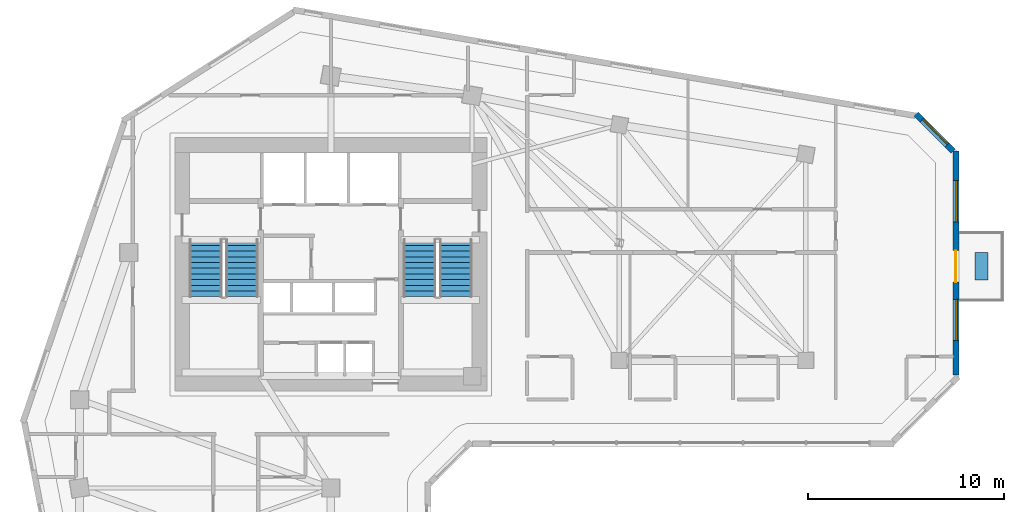
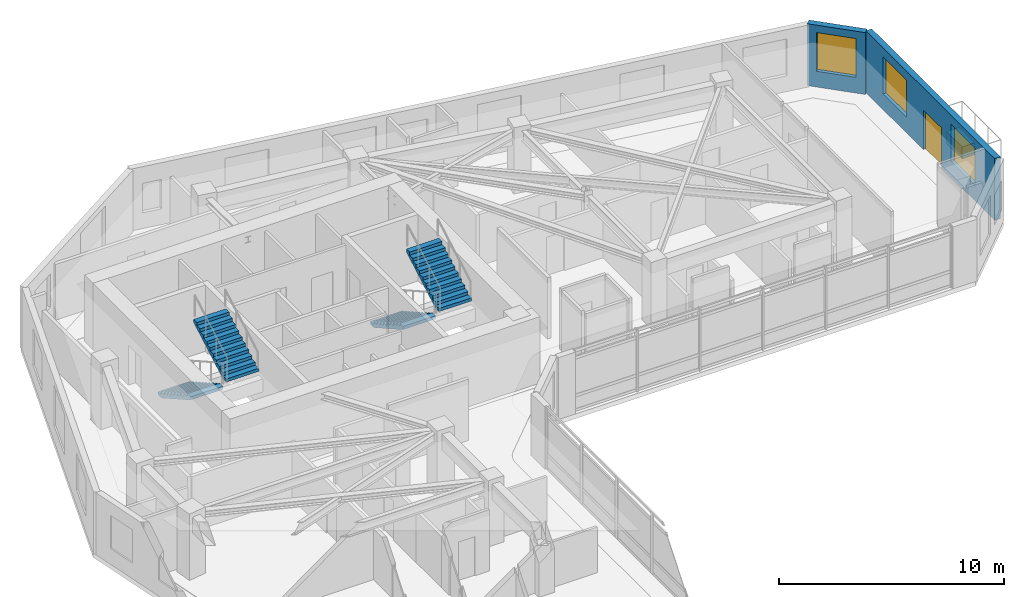
# One storey, part 9 of 14: 4 stair flights, 3 windows, 2 walls, 1 discrete accessory, 1 door, 4 openings, 2 elements without a shape of their own.
"""IFC4 building model written with IfcOpenShell, lengths in metres."""

from ifc_helpers import new_model, si_unit, direction, frame, frame_2d, origin, origin_2d, place, context, subcontext, project, spatial, polyline, rectangle, outline, extrude, source, transform, mapped, material, layer, layer_set, type_object, element, fill, aggregate, save


model = new_model("IFC4")

# Units and contexts
model_context = context("Model", 3, precision=1e-05, world=origin(), true_north=direction((0.0, 1.0)))
body_context = subcontext(model_context, "Body", "Model", "MODEL_VIEW")
ifc_project = project(units=[si_unit("LENGTHUNIT", "METRE"), si_unit("AREAUNIT", "SQUARE_METRE"), si_unit("VOLUMEUNIT", "CUBIC_METRE"), si_unit("PLANEANGLEUNIT", "RADIAN"), si_unit("MASSUNIT", "GRAM", prefix="KILO")], contexts=[model_context])

# Site, building, storey
site_placement = place(None, origin())
site = spatial("IfcSite", under=ifc_project, at=site_placement, CompositionType="ELEMENT")
building_placement = place(site_placement, origin())
building = spatial("IfcBuilding", under=site, at=building_placement, Name="Calvemar Wedge Station Tower", CompositionType="ELEMENT")
storey_placement = place(building_placement, frame((0.0, 0.0, 128.60009765625)))
storey = spatial("IfcBuildingStorey", under=building, at=storey_placement, Name="L31", CompositionType="ELEMENT", Elevation=128.60009765625)

# Wall, openings, windows, door
ifc_material_1 = material(Name="Precast concrete C45", Category="concrete")
ifc_layer = layer(ifc_material_1, 0.300048828125)
ifc_layer_set = layer_set([ifc_layer], Name="Precast concrete C45")
wall_type = type_object("IfcWallType", Name="W-EXT-GFRC-300", PredefinedType="SOLIDWALL", material=ifc_layer_set)
wall_1_placement = place(storey_placement, frame((55.64990234375, 34.249267578125, 0.0), z_axis=(0.0, 0.0, 1.0), x_axis=(0.0, 1.0, 0.0)))
wall_1 = element("IfcWall", 1, at=wall_1_placement, inside=storey, type_object=wall_type, Name="Storey L31 Bronze GFRC Exterior Wall 8", PredefinedType="SOLIDWALL", context=body_context, shape_type="SweptSolid", body=[
    extrude(rectangle(XDim=11.4306640625, YDim=0.300048828125, at=frame_2d((5.71533203125, 0.0))), origin(), (0.0, 0.0, 1.0), 3.349853515625),
])
shared_shape_1 = source(origin(), body_context, "Body", "SweptSolid", [
    extrude(rectangle(XDim=1.60009765625, YDim=2.14990234375, at=frame_2d((0.800048828125, 1.074951171875))), frame((0.0, 0.16015625, 0.0), z_axis=(0.0, -1.0, 0.0), x_axis=(1.0, 0.0, 0.0)), (0.0, 0.0, 1.0), 0.320068359375),
])
opening_1_placement = place(wall_1_placement, frame((4.742919921875, 0.0, 0.0)))
opening_1 = element("IfcOpeningElement", 2, at=opening_1_placement, cuts=wall_1, Name="Opening DT1", PredefinedType="OPENING", context=body_context, shape_type="MappedRepresentation", body=[
    mapped(shared_shape_1, transform((0.0, 0.0, 0.0), scale=1.0)),
])
shared_shape_2 = source(origin(), body_context, "Body", "SweptSolid", [
    extrude(rectangle(XDim=2.10009765625, YDim=2.0, at=frame_2d((1.050048828125, 1.0))), frame((0.0, 0.16015625, 0.0), z_axis=(0.0, -1.0, 0.0), x_axis=(1.0, 0.0, 0.0)), (0.0, 0.0, 1.0), 0.320068359375),
])
opening_2_placement = place(wall_1_placement, frame((1.76708984375, 0.0, 0.85009765625)))
opening_2 = element("IfcOpeningElement", 3, at=opening_2_placement, cuts=wall_1, Name="Opening W4", PredefinedType="OPENING", context=body_context, shape_type="MappedRepresentation", body=[
    mapped(shared_shape_2, transform((0.0, 0.0, 0.0), scale=1.0)),
])
opening_3_placement = place(wall_1_placement, frame((7.81689453125, 0.0, 0.85009765625)))
opening_3 = element("IfcOpeningElement", 4, at=opening_3_placement, cuts=wall_1, Name="Opening W4", PredefinedType="OPENING", context=body_context, shape_type="MappedRepresentation", body=[
    mapped(shared_shape_2, transform((0.0, 0.0, 0.0), scale=1.0)),
])
ifc_material_2 = material(Name="Low-E laminated insulated glass", Category="glass")
window_type_1 = type_object("IfcWindowType", Name="WIN-EXT-4", PartitioningType="SINGLE_PANEL", PredefinedType="WINDOW", material=ifc_material_2)
shared_shape_3 = source(origin(), body_context, "Body", "SweptSolid", [
    extrude(rectangle(XDim=2.10009765625, YDim=2.0, at=frame_2d((1.050048828125, 1.0))), frame((0.0, -0.014892578125, 0.0), z_axis=(0.0, -1.0, 0.0), x_axis=(1.0, 0.0, 0.0)), (0.0, 0.0, 1.0), 0.06005859375),
])
window_1_placement = place(opening_2_placement, origin())
window_1 = element("IfcWindow", 5, at=window_1_placement, inside=storey, type_object=window_type_1, Name="Storey L31 Recessed Window 8.1", OverallHeight=2.0, OverallWidth=2.10009765625, PartitioningType="SINGLE_PANEL", PredefinedType="WINDOW", context=body_context, shape_type="MappedRepresentation", body=[
    mapped(shared_shape_3, transform((0.0, 0.0, 0.0), scale=1.0)),
])
fill(opening_2, window_1)
window_2_placement = place(opening_3_placement, origin())
window_2 = element("IfcWindow", 6, at=window_2_placement, inside=storey, type_object=window_type_1, Name="Storey L31 Recessed Window 8.2", OverallHeight=2.0, OverallWidth=2.10009765625, PartitioningType="SINGLE_PANEL", PredefinedType="WINDOW", context=body_context, shape_type="MappedRepresentation", body=[
    mapped(shared_shape_3, transform((0.0, 0.0, 0.0), scale=1.0)),
])
fill(opening_3, window_2)
ifc_material_3 = material(Name="Anodised aluminium 6063-T6", Category="aluminium")
door_type = type_object("IfcDoorType", Name="DR-TERR-1600", OperationType="DOUBLE_DOOR_SLIDING", PredefinedType="DOOR", material=ifc_material_3)
shared_shape_4 = source(origin(), body_context, "Body", "SweptSolid", [
    extrude(rectangle(XDim=1.60009765625, YDim=2.14990234375, at=frame_2d((0.800048828125, 1.074951171875))), frame((0.0, 0.02490234375, 0.0), z_axis=(0.0, -1.0, 0.0), x_axis=(1.0, 0.0, 0.0)), (0.0, 0.0, 1.0), 0.050048828125),
])
door_placement = place(opening_1_placement, origin())
door = element("IfcDoor", 7, at=door_placement, inside=storey, type_object=door_type, Name="Storey L31 Spiral Terrace Door", OperationType="DOUBLE_DOOR_SLIDING", OverallHeight=2.14990234375, OverallWidth=1.60009765625, PredefinedType="DOOR", context=body_context, shape_type="MappedRepresentation", body=[
    mapped(shared_shape_4, transform((0.0, 0.0, 0.0), scale=1.0)),
])
fill(opening_1, door)

# Wall, opening, window
wall_2_placement = place(storey_placement, frame((55.511962890625, 45.66796875, 0.0), z_axis=(0.0, 0.0, 1.0), x_axis=(-0.707152443695, 0.707061115729, 0.0)))
wall_2 = element("IfcWall", 8, at=wall_2_placement, inside=storey, type_object=wall_type, Name="Storey L31 Bronze GFRC Exterior Wall 9", PredefinedType="SOLIDWALL", context=body_context, shape_type="SweptSolid", body=[
    extrude(rectangle(XDim=2.67333984375, YDim=0.300048828125, at=frame_2d((1.336669921875, 0.0))), origin(), (0.0, 0.0, 1.0), 3.349853515625),
])
shared_shape_5 = source(origin(), body_context, "Body", "SweptSolid", [
    extrude(rectangle(XDim=1.800048828125, YDim=2.10009765625, at=frame_2d((0.89990234375, 1.050048828125))), frame((0.0, 0.16015625, 0.0), z_axis=(0.0, -1.0, 0.0), x_axis=(1.0, 0.0, 0.0)), (0.0, 0.0, 1.0), 0.320068359375),
])
opening_4_placement = place(wall_2_placement, frame((0.43701171875, 0.0, 0.85009765625)))
opening_4 = element("IfcOpeningElement", 9, at=opening_4_placement, cuts=wall_2, Name="Opening W2", PredefinedType="OPENING", context=body_context, shape_type="MappedRepresentation", body=[
    mapped(shared_shape_5, transform((0.0, 0.0, 0.0), scale=1.0)),
])
window_type_2 = type_object("IfcWindowType", Name="WIN-EXT-2", PartitioningType="SINGLE_PANEL", PredefinedType="WINDOW", material=ifc_material_2)
shared_shape_6 = source(origin(), body_context, "Body", "SweptSolid", [
    extrude(rectangle(XDim=1.800048828125, YDim=2.10009765625, at=frame_2d((0.89990234375, 1.050048828125))), frame((0.0, -0.014892578125, 0.0), z_axis=(0.0, -1.0, 0.0), x_axis=(1.0, 0.0, 0.0)), (0.0, 0.0, 1.0), 0.06005859375),
])
window_3_placement = place(opening_4_placement, origin())
window_3 = element("IfcWindow", 10, at=window_3_placement, inside=storey, type_object=window_type_2, Name="Storey L31 Recessed Window 9.1", OverallHeight=2.10009765625, OverallWidth=1.800048828125, PartitioningType="SINGLE_PANEL", PredefinedType="WINDOW", context=body_context, shape_type="MappedRepresentation", body=[
    mapped(shared_shape_6, transform((0.0, 0.0, 0.0), scale=1.0)),
])
fill(opening_4, window_3)

# Stair, stair flights
ifc_material_4 = material(Name="Concrete C45", Category="concrete")
stair_type = type_object("IfcStairType", Name="ST-TYPE-3600", PredefinedType="HALF_TURN_STAIR", material=ifc_material_4)
stair_1_placement = place(storey_placement, origin())
stair_1 = element("IfcStair", 11, at=stair_1_placement, inside=storey, type_object=stair_type, Name="L31 Pressurized Core Exit Stair ST-C1", PredefinedType="HALF_TURN_STAIR")
stair_flight_type = type_object("IfcStairFlightType", Name="STF-TYPE-3600", PredefinedType="STRAIGHT", material=ifc_material_4)
stair_flight_1_placement = place(storey_placement, frame((17.429931640625, 41.14990234375, 0.0), z_axis=(0.0, 0.0, 1.0), x_axis=(0.0, -1.0, 0.0)))
stair_flight_1 = element("IfcStairFlight", 12, at=stair_flight_1_placement, type_object=stair_flight_type, Name="ST-C1 flight 1", NumberOfRisers=11, NumberOfTreads=10, PredefinedType="STRAIGHT", RiserHeight=0.163636364, TreadLength=0.29, context=body_context, shape_type="SweptSolid", body=[
    extrude(outline(polyline([(0.0, 0.0), (0.0, 0.16357421875), (0.2900390625, 0.16357421875), (0.2900390625, 0.327392578125), (0.580078125, 0.327392578125), (0.580078125, 0.490966796875), (0.8701171875, 0.490966796875), (0.8701171875, 0.654541015625), (1.159912109375, 0.654541015625), (1.159912109375, 0.818115234375), (1.449951171875, 0.818115234375), (1.449951171875, 0.98193359375), (1.739990234375, 0.98193359375), (1.739990234375, 1.1455078125), (2.030029296875, 1.1455078125), (2.030029296875, 1.30908203125), (2.320068359375, 1.30908203125), (2.320068359375, 1.47265625), (2.610107421875, 1.47265625), (2.610107421875, 1.636474609375), (2.89990234375, 1.636474609375), (2.89990234375, 1.800048828125), (2.89990234375, 1.46435546875), (0.304931640625, 0.0), (0.0, 0.0)])), frame((0.0, 0.830078125, 0.0), z_axis=(0.0, -1.0, 0.0), x_axis=(1.0, 0.0, 0.0)), (0.0, 0.0, 1.0), 1.659912109375),
])
stair_flight_2_placement = place(storey_placement, frame((19.27001953125, 38.25, 1.7998046875), z_axis=(0.0, 0.0, 1.0), x_axis=(0.0, 1.0, 0.0)))
stair_flight_2 = element("IfcStairFlight", 13, at=stair_flight_2_placement, type_object=stair_flight_type, Name="ST-C1 flight 2", NumberOfRisers=11, NumberOfTreads=10, PredefinedType="STRAIGHT", RiserHeight=0.163636364, TreadLength=0.29, context=body_context, shape_type="SweptSolid", body=[
    extrude(outline(polyline([(0.0, 0.0), (0.0, 0.16357421875), (0.2900390625, 0.16357421875), (0.2900390625, 0.327392578125), (0.580078125, 0.327392578125), (0.580078125, 0.490966796875), (0.8701171875, 0.490966796875), (0.8701171875, 0.654541015625), (1.159912109375, 0.654541015625), (1.159912109375, 0.818115234375), (1.449951171875, 0.818115234375), (1.449951171875, 0.98193359375), (1.739990234375, 0.98193359375), (1.739990234375, 1.1455078125), (2.030029296875, 1.1455078125), (2.030029296875, 1.30908203125), (2.320068359375, 1.30908203125), (2.320068359375, 1.47265625), (2.610107421875, 1.47265625), (2.610107421875, 1.636474609375), (2.89990234375, 1.636474609375), (2.89990234375, 1.800048828125), (2.89990234375, 1.46435546875), (0.304931640625, 0.0), (0.0, 0.0)])), frame((0.0, 0.830078125, 0.0), z_axis=(0.0, -1.0, 0.0), x_axis=(1.0, 0.0, 0.0)), (0.0, 0.0, 1.0), 1.659912109375),
])
aggregate(stair_1, [stair_flight_1, stair_flight_2])

stair_2_placement = place(storey_placement, origin())
stair_2 = element("IfcStair", 14, at=stair_2_placement, inside=storey, type_object=stair_type, Name="L31 Pressurized Core Exit Stair ST-C2", PredefinedType="HALF_TURN_STAIR")
stair_flight_3_placement = place(storey_placement, frame((28.330078125, 41.14990234375, 0.0), z_axis=(0.0, 0.0, 1.0), x_axis=(0.0, -1.0, 0.0)))
stair_flight_3 = element("IfcStairFlight", 15, at=stair_flight_3_placement, type_object=stair_flight_type, Name="ST-C2 flight 1", NumberOfRisers=11, NumberOfTreads=10, PredefinedType="STRAIGHT", RiserHeight=0.163636364, TreadLength=0.29, context=body_context, shape_type="SweptSolid", body=[
    extrude(outline(polyline([(0.0, 0.0), (0.0, 0.16357421875), (0.2900390625, 0.16357421875), (0.2900390625, 0.327392578125), (0.580078125, 0.327392578125), (0.580078125, 0.490966796875), (0.8701171875, 0.490966796875), (0.8701171875, 0.654541015625), (1.159912109375, 0.654541015625), (1.159912109375, 0.818115234375), (1.449951171875, 0.818115234375), (1.449951171875, 0.98193359375), (1.739990234375, 0.98193359375), (1.739990234375, 1.1455078125), (2.030029296875, 1.1455078125), (2.030029296875, 1.30908203125), (2.320068359375, 1.30908203125), (2.320068359375, 1.47265625), (2.610107421875, 1.47265625), (2.610107421875, 1.636474609375), (2.89990234375, 1.636474609375), (2.89990234375, 1.800048828125), (2.89990234375, 1.46435546875), (0.304931640625, 0.0), (0.0, 0.0)])), frame((0.0, 0.830078125, 0.0), z_axis=(0.0, -1.0, 0.0), x_axis=(1.0, 0.0, 0.0)), (0.0, 0.0, 1.0), 1.659912109375),
])
stair_flight_4_placement = place(storey_placement, frame((30.169921875, 38.25, 1.7998046875), z_axis=(0.0, 0.0, 1.0), x_axis=(0.0, 1.0, 0.0)))
stair_flight_4 = element("IfcStairFlight", 16, at=stair_flight_4_placement, type_object=stair_flight_type, Name="ST-C2 flight 2", NumberOfRisers=11, NumberOfTreads=10, PredefinedType="STRAIGHT", RiserHeight=0.163636364, TreadLength=0.29, context=body_context, shape_type="SweptSolid", body=[
    extrude(outline(polyline([(0.0, 0.0), (0.0, 0.16357421875), (0.2900390625, 0.16357421875), (0.2900390625, 0.327392578125), (0.580078125, 0.327392578125), (0.580078125, 0.490966796875), (0.8701171875, 0.490966796875), (0.8701171875, 0.654541015625), (1.159912109375, 0.654541015625), (1.159912109375, 0.818115234375), (1.449951171875, 0.818115234375), (1.449951171875, 0.98193359375), (1.739990234375, 0.98193359375), (1.739990234375, 1.1455078125), (2.030029296875, 1.1455078125), (2.030029296875, 1.30908203125), (2.320068359375, 1.30908203125), (2.320068359375, 1.47265625), (2.610107421875, 1.47265625), (2.610107421875, 1.636474609375), (2.89990234375, 1.636474609375), (2.89990234375, 1.800048828125), (2.89990234375, 1.46435546875), (0.304931640625, 0.0), (0.0, 0.0)])), frame((0.0, 0.830078125, 0.0), z_axis=(0.0, -1.0, 0.0), x_axis=(1.0, 0.0, 0.0)), (0.0, 0.0, 1.0), 1.659912109375),
])
aggregate(stair_2, [stair_flight_3, stair_flight_4])

# Discrete accessory
discrete_accessory_type = type_object("IfcDiscreteAccessoryType", Name="ACC-PLANTER", PredefinedType="USERDEFINED", material=ifc_material_1)
shared_shape_7 = source(origin(), body_context, "Body", "SweptSolid", [
    extrude(rectangle(XDim=0.64990234375, YDim=1.39990234375, at=origin_2d()), origin(), (0.0, 0.0, 1.0), 0.64990234375),
])
discrete_accessory_placement = place(storey_placement, frame((56.949951171875, 39.7919921875, 0.0), z_axis=(0.0, 0.0, 1.0), x_axis=(1.0, 0.0, 0.0)))
element("IfcDiscreteAccessory", 17, at=discrete_accessory_placement, inside=storey, type_object=discrete_accessory_type, Name="Storey L31 Planted Terrace GFRC Planter", ObjectType="PLANTER", PredefinedType="USERDEFINED", context=body_context, shape_type="MappedRepresentation", body=[
    mapped(shared_shape_7, transform((0.0, 0.0, 0.0), scale=1.0)),
])

save(model, "model.ifc")
